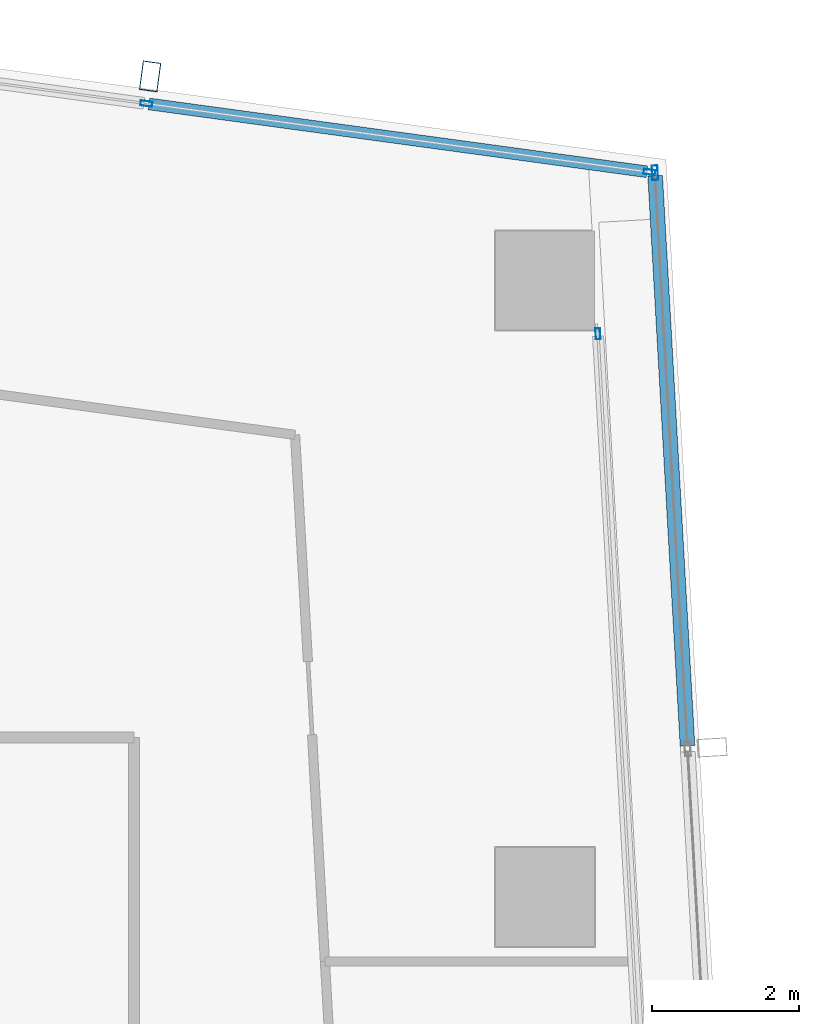
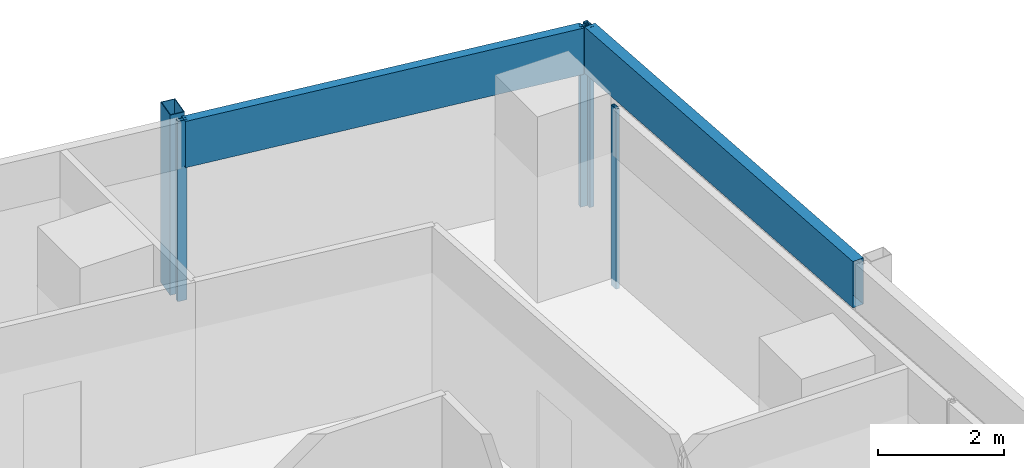
# One storey, part 24 of 38: 7 members, 3 elements without a shape of their own.
"""IFC4 building model written with IfcOpenShell, lengths in metres."""

from ifc_helpers import new_model, si_unit, direction, frame, origin, origin_2d, place, context, subcontext, project, spatial, hollow_rectangle, extrude, material, material_profile, profile_set, type_object, element, aggregate, save


model = new_model("IFC4")

# Units and contexts
model_context = context("Model", 3, precision=1e-05, world=origin(), true_north=direction((0.0, 1.0)))
body_context = subcontext(model_context, "Body", "Model", "MODEL_VIEW")
ifc_project = project(units=[si_unit("LENGTHUNIT", "METRE"), si_unit("AREAUNIT", "SQUARE_METRE"), si_unit("VOLUMEUNIT", "CUBIC_METRE"), si_unit("PLANEANGLEUNIT", "RADIAN"), si_unit("MASSUNIT", "GRAM", prefix="KILO")], contexts=[model_context])

# Site, building, storey
site_placement = place(None, origin())
site = spatial("IfcSite", under=ifc_project, at=site_placement, CompositionType="ELEMENT")
building_placement = place(site_placement, origin())
building = spatial("IfcBuilding", under=site, at=building_placement, Name="Rekha Terrace Tower", CompositionType="ELEMENT")
storey_placement = place(building_placement, frame((0.0, 0.0, 198.949951171875)))
storey = spatial("IfcBuildingStorey", under=building, at=storey_placement, Name="L50", CompositionType="ELEMENT", Elevation=198.949951171875)

# Curtain wall, member
ifc_material_1 = material(Name="Aluminium framing", Category="aluminium")
curtain_wall_type_1 = type_object("IfcCurtainWallType", Name="CW3 north unitised glazing", PredefinedType="USERDEFINED", material=ifc_material_1)
curtain_wall_1_placement = place(storey_placement, origin())
curtain_wall_1 = element("IfcCurtainWall", 1, at=curtain_wall_1_placement, inside=storey, type_object=curtain_wall_type_1, Name="CW3 unitised curtain wall", ObjectType="UNITISED CURTAIN WALL", PredefinedType="USERDEFINED")
ifc_material_2 = material(Name="Steel S355 with fluorocarbon finish", Category="steel")
ifc_material_profile_1 = material_profile(ifc_material_2, hollow_rectangle(XDim=0.25, YDim=0.39990234375, WallThickness=0.012451171875, at=origin_2d()), Name="RHS400x250x12.5")
ifc_profile_set_1 = profile_set([ifc_material_profile_1], Name="Steel S355 with fluorocarbon finish")
member_type_1 = type_object("IfcMemberType", Name="BL1 facade blade RHS 400 x 250", PredefinedType="USERDEFINED", material=ifc_profile_set_1)
member_1_placement = place(storey_placement, frame((53.419921875, 61.583251953125, 0.0), z_axis=(0.0, 0.0, 1.0), x_axis=(-0.990867309488, 0.134840553943, 0.0)))
member_1 = element("IfcMember", 2, at=member_1_placement, type_object=member_type_1, Name="Facade blade", ObjectType="FACADE BLADE", PredefinedType="USERDEFINED", context=body_context, shape_type="SweptSolid", body=[
    extrude(hollow_rectangle(XDim=0.25, YDim=0.39990234375, WallThickness=0.012451171875, at=origin_2d()), origin(), (0.0, 0.0, 1.0), 3.5),
])

curtain_wall_type_2 = type_object("IfcCurtainWallType", Name="CW1 double skin inner glazing", PredefinedType="USERDEFINED", material=ifc_material_1)
curtain_wall_2_placement = place(storey_placement, origin())
curtain_wall_2 = element("IfcCurtainWall", 3, at=curtain_wall_2_placement, inside=storey, type_object=curtain_wall_type_2, Name="CW1 double skin inner glazing", ObjectType="DOUBLE SKIN INNER GLAZING", PredefinedType="USERDEFINED")
ifc_material_3 = material(Name="Aluminium mullion section", Category="aluminium")
ifc_material_profile_2 = material_profile(ifc_material_3, hollow_rectangle(XDim=0.06494140625, YDim=0.14990234375, WallThickness=0.00390625, at=origin_2d()), Name="AL RHS 65x150")
ifc_profile_set_2 = profile_set([ifc_material_profile_2], Name="Aluminium mullion section")
member_type_2 = type_object("IfcMemberType", Name="CW1 mullion RHS 65 x 150", PredefinedType="MULLION", material=ifc_profile_set_2)
member_2_placement = place(storey_placement, frame((59.523193359375, 58.0751953125, 0.0), z_axis=(0.0, 0.0, 1.0), x_axis=(-0.998392782919, -0.05667319486, 0.0)))
member_2 = element("IfcMember", 4, at=member_2_placement, type_object=member_type_2, Name="CW1 mullion 4", PredefinedType="MULLION", context=body_context, shape_type="SweptSolid", body=[
    extrude(hollow_rectangle(XDim=0.06494140625, YDim=0.14990234375, WallThickness=0.00390625, at=origin_2d()), origin(), (0.0, 0.0, 1.0), 3.5),
])
aggregate(curtain_wall_2, [member_2])

# Curtain wall, members
curtain_wall_type_3 = type_object("IfcCurtainWallType", Name="CW2 double skin outer glazing", PredefinedType="USERDEFINED", material=ifc_material_1)
curtain_wall_3_placement = place(storey_placement, origin())
curtain_wall_3 = element("IfcCurtainWall", 5, at=curtain_wall_3_placement, inside=storey, type_object=curtain_wall_type_3, Name="CW2 double skin outer glazing", ObjectType="DOUBLE SKIN OUTER GLAZING", PredefinedType="USERDEFINED")
ifc_material_profile_3 = material_profile(ifc_material_3, hollow_rectangle(XDim=0.080078125, YDim=0.199951171875, WallThickness=0.00390625, at=origin_2d()), Name="AL RHS 80x200")
ifc_profile_set_3 = profile_set([ifc_material_profile_3], Name="Aluminium mullion section")
member_type_3 = type_object("IfcMemberType", Name="CW2 mullion RHS 80 x 200", PredefinedType="MULLION", material=ifc_profile_set_3)
member_3_placement = place(storey_placement, frame((60.300048828125, 60.269287109375, 0.0), z_axis=(0.0, 0.0, 1.0), x_axis=(-0.998392782919, -0.05667319486, 0.0)))
member_3 = element("IfcMember", 6, at=member_3_placement, type_object=member_type_3, Name="CW2 mullion 5", PredefinedType="MULLION", context=body_context, shape_type="SweptSolid", body=[
    extrude(hollow_rectangle(XDim=0.080078125, YDim=0.199951171875, WallThickness=0.00390625, at=origin_2d()), origin(), (0.0, 0.0, 1.0), 3.5),
])
ifc_material_4 = material(Name="Insulated aluminium spandrel box", Category="aluminium")
ifc_material_profile_4 = material_profile(ifc_material_4, hollow_rectangle(XDim=0.199951171875, YDim=0.89990234375, WallThickness=0.0029296875, at=origin_2d()), Name="AL SPANDREL BOX 200x900")
ifc_profile_set_4 = profile_set([ifc_material_profile_4], Name="Insulated aluminium spandrel box")
member_type_4 = type_object("IfcMemberType", Name="CW2 spandrel transom 200 x 900", PredefinedType="USERDEFINED", material=ifc_profile_set_4)
member_4_placement = place(storey_placement, frame((60.743408203125, 52.45849609375, 3.050048828125), z_axis=(-0.05667908121, 0.998392448766, 0.0), x_axis=(-0.998392448766, -0.05667908121, 0.0)))
member_4 = element("IfcMember", 7, at=member_4_placement, type_object=member_type_4, Name="CW2 spandrel transom 4", ObjectType="TRANSOM", PredefinedType="USERDEFINED", context=body_context, shape_type="SweptSolid", body=[
    extrude(hollow_rectangle(XDim=0.199951171875, YDim=0.89990234375, WallThickness=0.0029296875, at=origin_2d()), origin(), (0.0, 0.0, 1.0), 7.783447265625),
])
aggregate(curtain_wall_3, [member_3, member_4])

# Member
ifc_material_profile_5 = material_profile(ifc_material_3, hollow_rectangle(XDim=0.070068359375, YDim=0.159912109375, WallThickness=0.00390625, at=origin_2d()), Name="AL RHS 70x160")
ifc_profile_set_5 = profile_set([ifc_material_profile_5], Name="Aluminium mullion section")
member_type_5 = type_object("IfcMemberType", Name="CW3 mullion RHS 70 x 160", PredefinedType="MULLION", material=ifc_profile_set_5)
member_5_placement = place(storey_placement, frame((60.22509765625, 60.27880859375, 0.0), z_axis=(0.0, 0.0, 1.0), x_axis=(-0.134840840416, -0.990867270504, 0.0)))
member_5 = element("IfcMember", 8, at=member_5_placement, type_object=member_type_5, Name="CW3 mullion 1", PredefinedType="MULLION", context=body_context, shape_type="SweptSolid", body=[
    extrude(hollow_rectangle(XDim=0.070068359375, YDim=0.159912109375, WallThickness=0.00390625, at=origin_2d()), origin(), (0.0, 0.0, 1.0), 3.5),
])

member_6_placement = place(storey_placement, frame((53.369384765625, 61.211669921875, 0.0), z_axis=(0.0, 0.0, 1.0), x_axis=(-0.134840840416, -0.990867270504, 0.0)))
member_6 = element("IfcMember", 9, at=member_6_placement, type_object=member_type_5, Name="CW3 mullion 2", PredefinedType="MULLION", context=body_context, shape_type="SweptSolid", body=[
    extrude(hollow_rectangle(XDim=0.070068359375, YDim=0.159912109375, WallThickness=0.00390625, at=origin_2d()), origin(), (0.0, 0.0, 1.0), 3.5),
])

ifc_material_profile_6 = material_profile(ifc_material_4, hollow_rectangle(XDim=0.159912109375, YDim=0.89990234375, WallThickness=0.0029296875, at=origin_2d()), Name="AL SPANDREL BOX 160x900")
ifc_profile_set_6 = profile_set([ifc_material_profile_6], Name="Insulated aluminium spandrel box")
member_type_6 = type_object("IfcMemberType", Name="CW3 spandrel transom 160 x 900", PredefinedType="USERDEFINED", material=ifc_profile_set_6)
member_7_placement = place(storey_placement, frame((60.190185546875, 60.283447265625, 3.050048828125), z_axis=(-0.990865276141, 0.134855495022, 0.0), x_axis=(-0.134855495022, -0.990865276141, 0.0)))
member_7 = element("IfcMember", 10, at=member_7_placement, type_object=member_type_6, Name="CW3 spandrel transom 1", ObjectType="TRANSOM", PredefinedType="USERDEFINED", context=body_context, shape_type="SweptSolid", body=[
    extrude(hollow_rectangle(XDim=0.159912109375, YDim=0.89990234375, WallThickness=0.0029296875, at=origin_2d()), origin(), (0.0, 0.0, 1.0), 6.8486328125),
])

aggregate(curtain_wall_1, [member_5, member_6, member_7, member_1])

save(model, "model.ifc")
